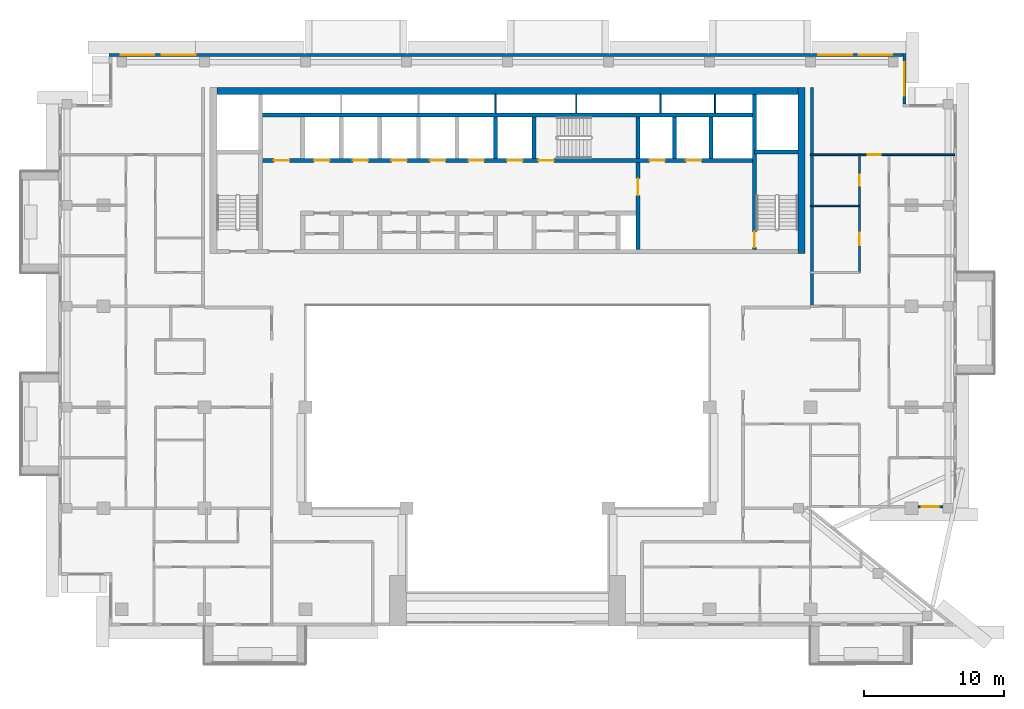
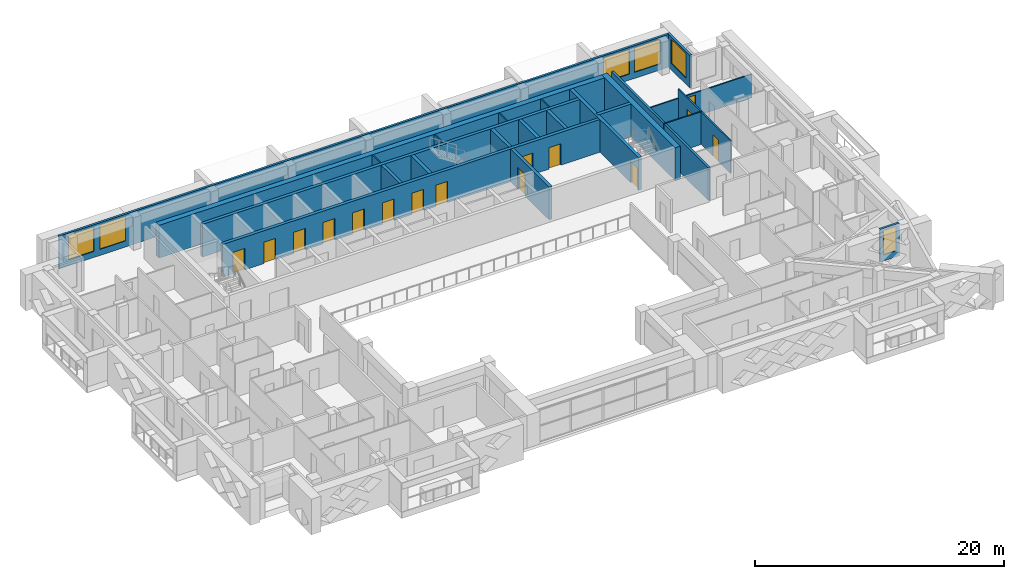
# One storey, part 11 of 19: 23 walls, 15 doors, 6 windows, 21 openings.
"""IFC4 building model written with IfcOpenShell, lengths in metres."""

from ifc_helpers import new_model, si_unit, direction, frame, frame_2d, origin, place, context, subcontext, project, spatial, rectangle, extrude, material, layer, layer_set, type_object, element, fill, save


model = new_model("IFC4")

# Units and contexts
model_context = context("Model", 3, precision=1e-05, world=origin(), true_north=direction((0.0, 1.0)))
body_context = subcontext(model_context, "Body", "Model", "MODEL_VIEW")
ifc_project = project(units=[si_unit("LENGTHUNIT", "METRE"), si_unit("AREAUNIT", "SQUARE_METRE"), si_unit("VOLUMEUNIT", "CUBIC_METRE"), si_unit("PLANEANGLEUNIT", "RADIAN"), si_unit("MASSUNIT", "GRAM", prefix="KILO")], contexts=[model_context])

# Site, building, storey
site_placement = place(None, origin())
site = spatial("IfcSite", under=ifc_project, at=site_placement, CompositionType="ELEMENT")
building_placement = place(site_placement, origin())
building = spatial("IfcBuilding", under=site, at=building_placement, Name="Saffron Iwan Residences", CompositionType="ELEMENT")
storey_placement = place(building_placement, frame((0.0, 0.0, 222.0)))
storey = spatial("IfcBuildingStorey", under=building, at=storey_placement, Name="L59", CompositionType="ELEMENT", Elevation=222.0)

# Wall, opening, window
ifc_material_1 = material(Name="Concrete C40/50", Category="concrete")
ifc_layer_1 = layer(ifc_material_1, 0.199951171875)
ifc_layer_set_1 = layer_set([ifc_layer_1], Name="Concrete C40/50")
wall_type_1 = type_object("IfcWallType", Name="EXTERNAL WALL 200", PredefinedType="SOLIDWALL", material=ifc_layer_set_1)
wall_1_placement = place(storey_placement, frame((79.64990234375, 48.10009765625, 0.0), z_axis=(0.0, 0.0, 1.0), x_axis=(1.0, 0.0, 0.0)))
wall_1 = element("IfcWall", 1, at=wall_1_placement, inside=storey, type_object=wall_type_1, Name="External wall L59 F1.1", PredefinedType="SOLIDWALL", context=body_context, shape_type="SweptSolid", body=[
    extrude(rectangle(XDim=1.800048828125, YDim=0.199951171875, at=frame_2d((0.89990234375, 0.0))), origin(), (0.0, 0.0, 1.0), 3.219970703125),
])
opening_1_placement = place(wall_1_placement, frame((0.300048828125, 0.0, 0.60009765625)))
opening_1 = element("IfcOpeningElement", 2, at=opening_1_placement, cuts=wall_1, Name="Opening W3", PredefinedType="OPENING", context=body_context, shape_type="SweptSolid", body=[
    extrude(rectangle(XDim=1.199951171875, YDim=2.39990234375, at=frame_2d((0.60009765625, 1.199951171875))), frame((0.0, 0.10986328125, 0.0), z_axis=(0.0, -1.0, 0.0), x_axis=(1.0, 0.0, 0.0)), (0.0, 0.0, 1.0), 0.219970703125),
])
ifc_material_2 = material(Name="Clear glass, laminated double glazed", Category="glass")
window_type_1 = type_object("IfcWindowType", Name="WINDOW 1200 x 2400", PartitioningType="SINGLE_PANEL", PredefinedType="WINDOW", material=ifc_material_2)
window_1_placement = place(opening_1_placement, origin())
window_1 = element("IfcWindow", 3, at=window_1_placement, inside=storey, type_object=window_type_1, Name="Window L59 F1.0", OverallHeight=2.39990234375, OverallWidth=1.199951171875, PartitioningType="SINGLE_PANEL", PredefinedType="WINDOW", context=body_context, shape_type="SweptSolid", body=[
    extrude(rectangle(XDim=1.199951171875, YDim=2.39990234375, at=frame_2d((0.60009765625, 1.199951171875))), frame((0.0, 0.030029296875, 0.0), z_axis=(0.0, -1.0, 0.0), x_axis=(1.0, 0.0, 0.0)), (0.0, 0.0, 1.0), 0.06005859375),
])
fill(opening_1, window_1)

wall_2_placement = place(storey_placement, frame((78.699951171875, 76.800048828125, 0.0), z_axis=(0.0, 0.0, 1.0), x_axis=(0.0, 1.0, 0.0)))
wall_2 = element("IfcWall", 4, at=wall_2_placement, inside=storey, type_object=wall_type_1, Name="External wall L59 F4.0", PredefinedType="SOLIDWALL", context=body_context, shape_type="SweptSolid", body=[
    extrude(rectangle(XDim=3.599853515625, YDim=0.199951171875, at=frame_2d((1.7998046875, 0.0))), origin(), (0.0, 0.0, 1.0), 3.219970703125),
])
opening_2_placement = place(wall_2_placement, frame((0.60009765625, 0.0, 0.60009765625)))
opening_2 = element("IfcOpeningElement", 5, at=opening_2_placement, cuts=wall_2, Name="Opening W1", PredefinedType="OPENING", context=body_context, shape_type="SweptSolid", body=[
    extrude(rectangle(XDim=2.39990234375, YDim=2.39990234375, at=frame_2d((1.199951171875, 1.199951171875))), frame((0.0, 0.10986328125, 0.0), z_axis=(0.0, -1.0, 0.0), x_axis=(1.0, 0.0, 0.0)), (0.0, 0.0, 1.0), 0.219970703125),
])
window_type_2 = type_object("IfcWindowType", Name="WINDOW 2400 x 2400", PartitioningType="DOUBLE_PANEL_VERTICAL", PredefinedType="WINDOW", material=ifc_material_2)
window_2_placement = place(opening_2_placement, origin())
window_2 = element("IfcWindow", 6, at=window_2_placement, inside=storey, type_object=window_type_2, Name="Window L59 F4.0", OverallHeight=2.39990234375, OverallWidth=2.39990234375, PartitioningType="DOUBLE_PANEL_VERTICAL", PredefinedType="WINDOW", context=body_context, shape_type="SweptSolid", body=[
    extrude(rectangle(XDim=2.39990234375, YDim=2.39990234375, at=frame_2d((1.199951171875, 1.199951171875))), frame((0.0, 0.030029296875, 0.0), z_axis=(0.0, -1.0, 0.0), x_axis=(1.0, 0.0, 0.0)), (0.0, 0.0, 1.0), 0.06005859375),
])
fill(opening_2, window_2)

# Wall, openings, windows
wall_3_placement = place(storey_placement, frame((78.60009765625, 80.300048828125, 0.0), z_axis=(0.0, 0.0, 1.0), x_axis=(-1.0, 0.0, 0.0)))
wall_3 = element("IfcWall", 7, at=wall_3_placement, inside=storey, type_object=wall_type_1, Name="External wall L59 F5.0", PredefinedType="SOLIDWALL", context=body_context, shape_type="SweptSolid", body=[
    extrude(rectangle(XDim=56.60009765625, YDim=0.199951171875, at=frame_2d((28.300048828125, 0.0))), origin(), (0.0, 0.0, 1.0), 3.219970703125),
])
opening_3_placement = place(wall_3_placement, frame((50.433349609375, 0.0, 0.60009765625)))
opening_3 = element("IfcOpeningElement", 8, at=opening_3_placement, cuts=wall_3, Name="Opening W1", PredefinedType="OPENING", context=body_context, shape_type="SweptSolid", body=[
    extrude(rectangle(XDim=2.39990234375, YDim=2.39990234375, at=frame_2d((1.199951171875, 1.199951171875))), frame((0.0, 0.10986328125, 0.0), z_axis=(0.0, -1.0, 0.0), x_axis=(1.0, 0.0, 0.0)), (0.0, 0.0, 1.0), 0.219970703125),
])
opening_4_placement = place(wall_3_placement, frame((53.36669921875, 0.0, 0.60009765625)))
opening_4 = element("IfcOpeningElement", 9, at=opening_4_placement, cuts=wall_3, Name="Opening W1", PredefinedType="OPENING", context=body_context, shape_type="SweptSolid", body=[
    extrude(rectangle(XDim=2.39990234375, YDim=2.39990234375, at=frame_2d((1.199951171875, 1.199951171875))), frame((0.0, 0.10986328125, 0.0), z_axis=(0.0, -1.0, 0.0), x_axis=(1.0, 0.0, 0.0)), (0.0, 0.0, 1.0), 0.219970703125),
])
opening_5_placement = place(wall_3_placement, frame((0.7666015625, 0.0, 0.60009765625)))
opening_5 = element("IfcOpeningElement", 10, at=opening_5_placement, cuts=wall_3, Name="Opening W1", PredefinedType="OPENING", context=body_context, shape_type="SweptSolid", body=[
    extrude(rectangle(XDim=2.39990234375, YDim=2.39990234375, at=frame_2d((1.199951171875, 1.199951171875))), frame((0.0, 0.10986328125, 0.0), z_axis=(0.0, -1.0, 0.0), x_axis=(1.0, 0.0, 0.0)), (0.0, 0.0, 1.0), 0.219970703125),
])
opening_6_placement = place(wall_3_placement, frame((3.63330078125, 0.0, 0.60009765625)))
opening_6 = element("IfcOpeningElement", 11, at=opening_6_placement, cuts=wall_3, Name="Opening W1", PredefinedType="OPENING", context=body_context, shape_type="SweptSolid", body=[
    extrude(rectangle(XDim=2.39990234375, YDim=2.39990234375, at=frame_2d((1.199951171875, 1.199951171875))), frame((0.0, 0.10986328125, 0.0), z_axis=(0.0, -1.0, 0.0), x_axis=(1.0, 0.0, 0.0)), (0.0, 0.0, 1.0), 0.219970703125),
])
window_3_placement = place(opening_3_placement, origin())
window_3 = element("IfcWindow", 12, at=window_3_placement, inside=storey, type_object=window_type_2, Name="Window L59 F5.0", OverallHeight=2.39990234375, OverallWidth=2.39990234375, PartitioningType="DOUBLE_PANEL_VERTICAL", PredefinedType="WINDOW", context=body_context, shape_type="SweptSolid", body=[
    extrude(rectangle(XDim=2.39990234375, YDim=2.39990234375, at=frame_2d((1.199951171875, 1.199951171875))), frame((0.0, 0.030029296875, 0.0), z_axis=(0.0, -1.0, 0.0), x_axis=(1.0, 0.0, 0.0)), (0.0, 0.0, 1.0), 0.06005859375),
])
fill(opening_3, window_3)
window_4_placement = place(opening_4_placement, origin())
window_4 = element("IfcWindow", 13, at=window_4_placement, inside=storey, type_object=window_type_2, Name="Window L59 F5.1", OverallHeight=2.39990234375, OverallWidth=2.39990234375, PartitioningType="DOUBLE_PANEL_VERTICAL", PredefinedType="WINDOW", context=body_context, shape_type="SweptSolid", body=[
    extrude(rectangle(XDim=2.39990234375, YDim=2.39990234375, at=frame_2d((1.199951171875, 1.199951171875))), frame((0.0, 0.030029296875, 0.0), z_axis=(0.0, -1.0, 0.0), x_axis=(1.0, 0.0, 0.0)), (0.0, 0.0, 1.0), 0.06005859375),
])
fill(opening_4, window_4)
window_5_placement = place(opening_5_placement, origin())
window_5 = element("IfcWindow", 14, at=window_5_placement, inside=storey, type_object=window_type_2, Name="Window L59 F5.2", OverallHeight=2.39990234375, OverallWidth=2.39990234375, PartitioningType="DOUBLE_PANEL_VERTICAL", PredefinedType="WINDOW", context=body_context, shape_type="SweptSolid", body=[
    extrude(rectangle(XDim=2.39990234375, YDim=2.39990234375, at=frame_2d((1.199951171875, 1.199951171875))), frame((0.0, 0.030029296875, 0.0), z_axis=(0.0, -1.0, 0.0), x_axis=(1.0, 0.0, 0.0)), (0.0, 0.0, 1.0), 0.06005859375),
])
fill(opening_5, window_5)
window_6_placement = place(opening_6_placement, origin())
window_6 = element("IfcWindow", 15, at=window_6_placement, inside=storey, type_object=window_type_2, Name="Window L59 F5.3", OverallHeight=2.39990234375, OverallWidth=2.39990234375, PartitioningType="DOUBLE_PANEL_VERTICAL", PredefinedType="WINDOW", context=body_context, shape_type="SweptSolid", body=[
    extrude(rectangle(XDim=2.39990234375, YDim=2.39990234375, at=frame_2d((1.199951171875, 1.199951171875))), frame((0.0, 0.030029296875, 0.0), z_axis=(0.0, -1.0, 0.0), x_axis=(1.0, 0.0, 0.0)), (0.0, 0.0, 1.0), 0.06005859375),
])
fill(opening_6, window_6)

# Wall
ifc_material_3 = material(Name="Gypsum board partition")
ifc_layer_2 = layer(ifc_material_3, 0.1201171875)
ifc_layer_set_2 = layer_set([ifc_layer_2], Name="Gypsum board partition")
wall_type_2 = type_object("IfcWallType", Name="Flat partition 120", PredefinedType="PARTITIONING", material=ifc_layer_set_2)
wall_4_placement = place(storey_placement, frame((72.0, 69.550048828125, 0.0), z_axis=(0.0, 0.0, 1.0), x_axis=(1.0, 0.0, 0.0)))
element("IfcWall", 16, at=wall_4_placement, inside=storey, type_object=wall_type_2, Name="W-L59-PART-h69.55-72", PredefinedType="PARTITIONING", context=body_context, shape_type="SweptSolid", body=[
    extrude(rectangle(XDim=3.5, YDim=0.1201171875, at=frame_2d((1.75, 0.0))), origin(), (0.0, 0.0, 1.0), 3.219970703125),
])

# Wall, opening, door
wall_5_placement = place(storey_placement, frame((72.0, 73.199951171875, 0.0), z_axis=(0.0, 0.0, 1.0), x_axis=(1.0, 0.0, 0.0)))
wall_5 = element("IfcWall", 17, at=wall_5_placement, inside=storey, type_object=wall_type_2, Name="W-L59-PART-h73.2-72", PredefinedType="PARTITIONING", context=body_context, shape_type="SweptSolid", body=[
    extrude(rectangle(XDim=10.27490234375, YDim=0.1201171875, at=frame_2d((5.137451171875, 0.0))), origin(), (0.0, 0.0, 1.0), 2.320068359375),
])
opening_7_placement = place(wall_5_placement, frame((4.10009765625, 0.0, 0.0)))
opening_7 = element("IfcOpeningElement", 18, at=opening_7_placement, cuts=wall_5, Name="Opening FD2", PredefinedType="OPENING", context=body_context, shape_type="SweptSolid", body=[
    extrude(rectangle(XDim=0.89990234375, YDim=2.10009765625, at=frame_2d((0.449951171875, 1.050048828125))), frame((0.0, 0.070068359375, 0.0), z_axis=(0.0, -1.0, 0.0), x_axis=(1.0, 0.0, 0.0)), (0.0, 0.0, 1.0), 0.14013671875),
])
ifc_material_4 = material(Name="Timber door", Category="wood")
door_type_1 = type_object("IfcDoorType", Name="Flat door 900", OperationType="NOTDEFINED", PredefinedType="DOOR", material=ifc_material_4)
door_1_placement = place(opening_7_placement, origin())
door_1 = element("IfcDoor", 19, at=door_1_placement, inside=storey, type_object=door_type_1, Name="Door L59-037", OperationType="SINGLE_SWING_LEFT", OverallHeight=2.10009765625, OverallWidth=0.89990234375, PredefinedType="DOOR", context=body_context, shape_type="SweptSolid", body=[
    extrude(rectangle(XDim=0.89990234375, YDim=2.10009765625, at=frame_2d((0.449951171875, 1.050048828125))), frame((0.0, 0.02490234375, 0.0), z_axis=(0.0, -1.0, 0.0), x_axis=(1.0, 0.0, 0.0)), (0.0, 0.0, 1.0), 0.050048828125),
])
fill(opening_7, door_1)

# Wall, openings, doors
wall_6_placement = place(storey_placement, frame((75.5, 64.800048828125, 0.0), z_axis=(0.0, 0.0, 1.0), x_axis=(0.0, 1.0, 0.0)))
wall_6 = element("IfcWall", 20, at=wall_6_placement, inside=storey, type_object=wall_type_2, Name="W-L59-PART-v75.5-64.8", PredefinedType="PARTITIONING", context=body_context, shape_type="SweptSolid", body=[
    extrude(rectangle(XDim=8.39990234375, YDim=0.1201171875, at=frame_2d((4.199951171875, 0.0))), origin(), (0.0, 0.0, 1.0), 3.219970703125),
])
opening_8_placement = place(wall_6_placement, frame((1.925048828125, 0.0, 0.0)))
opening_8 = element("IfcOpeningElement", 21, at=opening_8_placement, cuts=wall_6, Name="Opening FD2", PredefinedType="OPENING", context=body_context, shape_type="SweptSolid", body=[
    extrude(rectangle(XDim=0.89990234375, YDim=2.10009765625, at=frame_2d((0.449951171875, 1.050048828125))), frame((0.0, 0.070068359375, 0.0), z_axis=(0.0, -1.0, 0.0), x_axis=(1.0, 0.0, 0.0)), (0.0, 0.0, 1.0), 0.14013671875),
])
opening_9_placement = place(wall_6_placement, frame((6.175048828125, 0.0, 0.0)))
opening_9 = element("IfcOpeningElement", 22, at=opening_9_placement, cuts=wall_6, Name="Opening FD3", PredefinedType="OPENING", context=body_context, shape_type="SweptSolid", body=[
    extrude(rectangle(XDim=0.800048828125, YDim=2.10009765625, at=frame_2d((0.39990234375, 1.050048828125))), frame((0.0, 0.070068359375, 0.0), z_axis=(0.0, -1.0, 0.0), x_axis=(1.0, 0.0, 0.0)), (0.0, 0.0, 1.0), 0.14013671875),
])
door_type_2 = type_object("IfcDoorType", Name="Bathroom door 800", OperationType="NOTDEFINED", PredefinedType="DOOR", material=ifc_material_4)
door_2_placement = place(opening_9_placement, origin())
door_2 = element("IfcDoor", 23, at=door_2_placement, inside=storey, type_object=door_type_2, Name="Door L59-039", OperationType="SINGLE_SWING_LEFT", OverallHeight=2.10009765625, OverallWidth=0.800048828125, PredefinedType="DOOR", context=body_context, shape_type="SweptSolid", body=[
    extrude(rectangle(XDim=0.800048828125, YDim=2.10009765625, at=frame_2d((0.39990234375, 1.050048828125))), frame((0.0, 0.02490234375, 0.0), z_axis=(0.0, -1.0, 0.0), x_axis=(1.0, 0.0, 0.0)), (0.0, 0.0, 1.0), 0.050048828125),
])
fill(opening_9, door_2)
door_3_placement = place(opening_8_placement, origin())
door_3 = element("IfcDoor", 24, at=door_3_placement, inside=storey, type_object=door_type_1, Name="Door L59-038", OperationType="SINGLE_SWING_RIGHT", OverallHeight=2.10009765625, OverallWidth=0.89990234375, PredefinedType="DOOR", context=body_context, shape_type="SweptSolid", body=[
    extrude(rectangle(XDim=0.89990234375, YDim=2.10009765625, at=frame_2d((0.449951171875, 1.050048828125))), frame((0.0, 0.02490234375, 0.0), z_axis=(0.0, -1.0, 0.0), x_axis=(1.0, 0.0, 0.0)), (0.0, 0.0, 1.0), 0.050048828125),
])
fill(opening_8, door_3)

# Walls
ifc_material_5 = material(Name="Fire-rated gypsum board wall")
ifc_layer_3 = layer(ifc_material_5, 0.199951171875)
ifc_layer_set_3 = layer_set([ifc_layer_3], Name="Fire-rated gypsum board wall")
wall_type_3 = type_object("IfcWallType", Name="Gallery wall 200", PredefinedType="SOLIDWALL", material=ifc_layer_set_3)
wall_7_placement = place(storey_placement, frame((72.10009765625, 62.39990234375, 0.0), z_axis=(0.0, 0.0, 1.0), x_axis=(0.0, 1.0, 0.0)))
element("IfcWall", 25, at=wall_7_placement, inside=storey, type_object=wall_type_3, Name="W-L59-CORR-v72-62.4", PredefinedType="SOLIDWALL", context=body_context, shape_type="SweptSolid", body=[
    extrude(rectangle(XDim=15.60009765625, YDim=0.199951171875, at=frame_2d((7.800048828125, 0.0))), origin(), (0.0, 0.0, 1.0), 3.219970703125),
])
ifc_material_6 = material(Name="Fire-rated plasterboard partition")
ifc_layer_4 = layer(ifc_material_6, 0.10009765625)
ifc_layer_set_4 = layer_set([ifc_layer_4], Name="Fire-rated plasterboard partition")
wall_type_4 = type_object("IfcWallType", Name="Riser partition 100", PredefinedType="PARTITIONING", material=ifc_layer_set_4)
for number, where, z_axis, x_axis, name in (
    (26, (49.550048828125, 76.175048828125, 0.0), (0.0, 0.0, 1.0), (0.0, 1.0, 0.0), "Core partition P09"),
    (27, (55.300048828125, 76.175048828125, 0.0), (0.0, 0.0, 1.0), (0.0, 1.0, 0.0), "Core partition P10"),
    (28, (61.300048828125, 76.175048828125, 0.0), (0.0, 0.0, 1.0), (0.0, 1.0, 0.0), "Core partition P11"),
    (29, (65.199951171875, 76.175048828125, 0.0), (0.0, 0.0, 1.0), (0.0, 1.0, 0.0), "Core partition P12"),
):
    element("IfcWall", number, at=place(storey_placement, frame(where, z_axis=z_axis, x_axis=x_axis)), inside=storey, type_object=wall_type_4, Name=name, PredefinedType="PARTITIONING", context=body_context, shape_type="SweptSolid", body=[
        extrude(rectangle(XDim=1.324951171875, YDim=0.10009765625, at=frame_2d((0.66259765625, 0.0))), origin(), (0.0, 0.0, 1.0), 3.219970703125),
    ])

# Wall, openings, doors
ifc_layer_5 = layer(ifc_material_1, 0.300048828125)
ifc_layer_set_5 = layer_set([ifc_layer_5], Name="Concrete C40/50")
wall_type_5 = type_object("IfcWallType", Name="WALL CORE 300 C40/50 3220 HIGH", PredefinedType="SHEAR", material=ifc_layer_set_5)
wall_8_placement = place(storey_placement, frame((32.800048828125, 72.77490234375, 0.0), z_axis=(0.0, 0.0, 1.0), x_axis=(1.0, 0.0, 0.0)))
wall_8 = element("IfcWall", 30, at=wall_8_placement, inside=storey, type_object=wall_type_5, Name="Core wall", PredefinedType="SHEAR", context=body_context, shape_type="SweptSolid", body=[
    extrude(rectangle(XDim=35.199951171875, YDim=0.300048828125, at=frame_2d((17.60009765625, 0.0))), origin(), (0.0, 0.0, 1.0), 3.219970703125),
])
opening_10_placement = place(wall_8_placement, frame((19.800048828125, 0.0, 0.0)))
opening_10 = element("IfcOpeningElement", 31, at=opening_10_placement, cuts=wall_8, Name="Opening SD", PredefinedType="OPENING", context=body_context, shape_type="SweptSolid", body=[
    extrude(rectangle(XDim=1.10009765625, YDim=2.10009765625, at=frame_2d((0.550048828125, 1.050048828125))), frame((0.0, 0.16015625, 0.0), z_axis=(0.0, -1.0, 0.0), x_axis=(1.0, 0.0, 0.0)), (0.0, 0.0, 1.0), 0.320068359375),
])
opening_11_placement = place(wall_8_placement, frame((27.72509765625, 0.0, 0.0)))
opening_11 = element("IfcOpeningElement", 32, at=opening_11_placement, cuts=wall_8, Name="Opening LD", PredefinedType="OPENING", context=body_context, shape_type="SweptSolid", body=[
    extrude(rectangle(XDim=1.10009765625, YDim=2.10009765625, at=frame_2d((0.550048828125, 1.050048828125))), frame((0.0, 0.16015625, 0.0), z_axis=(0.0, -1.0, 0.0), x_axis=(1.0, 0.0, 0.0)), (0.0, 0.0, 1.0), 0.320068359375),
])
opening_12_placement = place(wall_8_placement, frame((30.324951171875, 0.0, 0.0)))
opening_12 = element("IfcOpeningElement", 33, at=opening_12_placement, cuts=wall_8, Name="Opening LD", PredefinedType="OPENING", context=body_context, shape_type="SweptSolid", body=[
    extrude(rectangle(XDim=1.10009765625, YDim=2.10009765625, at=frame_2d((0.550048828125, 1.050048828125))), frame((0.0, 0.16015625, 0.0), z_axis=(0.0, -1.0, 0.0), x_axis=(1.0, 0.0, 0.0)), (0.0, 0.0, 1.0), 0.320068359375),
])
opening_13_placement = place(wall_8_placement, frame((3.824951171875, 0.0, 0.0)))
opening_13 = element("IfcOpeningElement", 34, at=opening_13_placement, cuts=wall_8, Name="Opening LD", PredefinedType="OPENING", context=body_context, shape_type="SweptSolid", body=[
    extrude(rectangle(XDim=1.10009765625, YDim=2.10009765625, at=frame_2d((0.550048828125, 1.050048828125))), frame((0.0, 0.16015625, 0.0), z_axis=(0.0, -1.0, 0.0), x_axis=(1.0, 0.0, 0.0)), (0.0, 0.0, 1.0), 0.320068359375),
])
opening_14_placement = place(wall_8_placement, frame((6.574951171875, 0.0, 0.0)))
opening_14 = element("IfcOpeningElement", 35, at=opening_14_placement, cuts=wall_8, Name="Opening LD", PredefinedType="OPENING", context=body_context, shape_type="SweptSolid", body=[
    extrude(rectangle(XDim=1.10009765625, YDim=2.10009765625, at=frame_2d((0.550048828125, 1.050048828125))), frame((0.0, 0.16015625, 0.0), z_axis=(0.0, -1.0, 0.0), x_axis=(1.0, 0.0, 0.0)), (0.0, 0.0, 1.0), 0.320068359375),
])
opening_15_placement = place(wall_8_placement, frame((9.324951171875, 0.0, 0.0)))
opening_15 = element("IfcOpeningElement", 36, at=opening_15_placement, cuts=wall_8, Name="Opening LD", PredefinedType="OPENING", context=body_context, shape_type="SweptSolid", body=[
    extrude(rectangle(XDim=1.10009765625, YDim=2.10009765625, at=frame_2d((0.550048828125, 1.050048828125))), frame((0.0, 0.16015625, 0.0), z_axis=(0.0, -1.0, 0.0), x_axis=(1.0, 0.0, 0.0)), (0.0, 0.0, 1.0), 0.320068359375),
])
opening_16_placement = place(wall_8_placement, frame((12.074951171875, 0.0, 0.0)))
opening_16 = element("IfcOpeningElement", 37, at=opening_16_placement, cuts=wall_8, Name="Opening LD", PredefinedType="OPENING", context=body_context, shape_type="SweptSolid", body=[
    extrude(rectangle(XDim=1.10009765625, YDim=2.10009765625, at=frame_2d((0.550048828125, 1.050048828125))), frame((0.0, 0.16015625, 0.0), z_axis=(0.0, -1.0, 0.0), x_axis=(1.0, 0.0, 0.0)), (0.0, 0.0, 1.0), 0.320068359375),
])
opening_17_placement = place(wall_8_placement, frame((14.824951171875, 0.0, 0.0)))
opening_17 = element("IfcOpeningElement", 38, at=opening_17_placement, cuts=wall_8, Name="Opening LD", PredefinedType="OPENING", context=body_context, shape_type="SweptSolid", body=[
    extrude(rectangle(XDim=1.10009765625, YDim=2.10009765625, at=frame_2d((0.550048828125, 1.050048828125))), frame((0.0, 0.16015625, 0.0), z_axis=(0.0, -1.0, 0.0), x_axis=(1.0, 0.0, 0.0)), (0.0, 0.0, 1.0), 0.320068359375),
])
opening_18_placement = place(wall_8_placement, frame((17.574951171875, 0.0, 0.0)))
opening_18 = element("IfcOpeningElement", 39, at=opening_18_placement, cuts=wall_8, Name="Opening LD", PredefinedType="OPENING", context=body_context, shape_type="SweptSolid", body=[
    extrude(rectangle(XDim=1.10009765625, YDim=2.10009765625, at=frame_2d((0.550048828125, 1.050048828125))), frame((0.0, 0.16015625, 0.0), z_axis=(0.0, -1.0, 0.0), x_axis=(1.0, 0.0, 0.0)), (0.0, 0.0, 1.0), 0.320068359375),
])
opening_19_placement = place(wall_8_placement, frame((0.949951171875, 0.0, 0.0)))
opening_19 = element("IfcOpeningElement", 40, at=opening_19_placement, cuts=wall_8, Name="Opening SR", PredefinedType="OPENING", context=body_context, shape_type="SweptSolid", body=[
    extrude(rectangle(XDim=1.10009765625, YDim=2.10009765625, at=frame_2d((0.550048828125, 1.050048828125))), frame((0.0, 0.16015625, 0.0), z_axis=(0.0, -1.0, 0.0), x_axis=(1.0, 0.0, 0.0)), (0.0, 0.0, 1.0), 0.320068359375),
])
ifc_material_7 = material(Name="Steel fire door", Category="steel")
door_type_3 = type_object("IfcDoorType", Name="Lift landing door 1100", OperationType="SLIDING_TO_LEFT", PredefinedType="DOOR", material=ifc_material_7)
door_4_placement = place(opening_11_placement, origin())
door_4 = element("IfcDoor", 41, at=door_4_placement, inside=storey, type_object=door_type_3, Name="Landing doors FF1", OperationType="SLIDING_TO_LEFT", OverallHeight=2.10009765625, OverallWidth=1.10009765625, PredefinedType="DOOR", context=body_context, shape_type="SweptSolid", body=[
    extrude(rectangle(XDim=1.10009765625, YDim=2.10009765625, at=frame_2d((0.550048828125, 1.050048828125))), frame((0.0, 0.02490234375, 0.0), z_axis=(0.0, -1.0, 0.0), x_axis=(1.0, 0.0, 0.0)), (0.0, 0.0, 1.0), 0.050048828125),
])
fill(opening_11, door_4)
door_5_placement = place(opening_12_placement, origin())
door_5 = element("IfcDoor", 42, at=door_5_placement, inside=storey, type_object=door_type_3, Name="Landing doors FF2", OperationType="SLIDING_TO_LEFT", OverallHeight=2.10009765625, OverallWidth=1.10009765625, PredefinedType="DOOR", context=body_context, shape_type="SweptSolid", body=[
    extrude(rectangle(XDim=1.10009765625, YDim=2.10009765625, at=frame_2d((0.550048828125, 1.050048828125))), frame((0.0, 0.02490234375, 0.0), z_axis=(0.0, -1.0, 0.0), x_axis=(1.0, 0.0, 0.0)), (0.0, 0.0, 1.0), 0.050048828125),
])
fill(opening_12, door_5)
door_6_placement = place(opening_13_placement, origin())
door_6 = element("IfcDoor", 43, at=door_6_placement, inside=storey, type_object=door_type_3, Name="Landing doors HR1", OperationType="SLIDING_TO_LEFT", OverallHeight=2.10009765625, OverallWidth=1.10009765625, PredefinedType="DOOR", context=body_context, shape_type="SweptSolid", body=[
    extrude(rectangle(XDim=1.10009765625, YDim=2.10009765625, at=frame_2d((0.550048828125, 1.050048828125))), frame((0.0, 0.02490234375, 0.0), z_axis=(0.0, -1.0, 0.0), x_axis=(1.0, 0.0, 0.0)), (0.0, 0.0, 1.0), 0.050048828125),
])
fill(opening_13, door_6)
door_7_placement = place(opening_14_placement, origin())
door_7 = element("IfcDoor", 44, at=door_7_placement, inside=storey, type_object=door_type_3, Name="Landing doors HR2", OperationType="SLIDING_TO_LEFT", OverallHeight=2.10009765625, OverallWidth=1.10009765625, PredefinedType="DOOR", context=body_context, shape_type="SweptSolid", body=[
    extrude(rectangle(XDim=1.10009765625, YDim=2.10009765625, at=frame_2d((0.550048828125, 1.050048828125))), frame((0.0, 0.02490234375, 0.0), z_axis=(0.0, -1.0, 0.0), x_axis=(1.0, 0.0, 0.0)), (0.0, 0.0, 1.0), 0.050048828125),
])
fill(opening_14, door_7)
door_8_placement = place(opening_15_placement, origin())
door_8 = element("IfcDoor", 45, at=door_8_placement, inside=storey, type_object=door_type_3, Name="Landing doors HR3", OperationType="SLIDING_TO_LEFT", OverallHeight=2.10009765625, OverallWidth=1.10009765625, PredefinedType="DOOR", context=body_context, shape_type="SweptSolid", body=[
    extrude(rectangle(XDim=1.10009765625, YDim=2.10009765625, at=frame_2d((0.550048828125, 1.050048828125))), frame((0.0, 0.02490234375, 0.0), z_axis=(0.0, -1.0, 0.0), x_axis=(1.0, 0.0, 0.0)), (0.0, 0.0, 1.0), 0.050048828125),
])
fill(opening_15, door_8)
door_9_placement = place(opening_16_placement, origin())
door_9 = element("IfcDoor", 46, at=door_9_placement, inside=storey, type_object=door_type_3, Name="Landing doors HR4", OperationType="SLIDING_TO_LEFT", OverallHeight=2.10009765625, OverallWidth=1.10009765625, PredefinedType="DOOR", context=body_context, shape_type="SweptSolid", body=[
    extrude(rectangle(XDim=1.10009765625, YDim=2.10009765625, at=frame_2d((0.550048828125, 1.050048828125))), frame((0.0, 0.02490234375, 0.0), z_axis=(0.0, -1.0, 0.0), x_axis=(1.0, 0.0, 0.0)), (0.0, 0.0, 1.0), 0.050048828125),
])
fill(opening_16, door_9)
door_10_placement = place(opening_17_placement, origin())
door_10 = element("IfcDoor", 47, at=door_10_placement, inside=storey, type_object=door_type_3, Name="Landing doors HR5", OperationType="SLIDING_TO_LEFT", OverallHeight=2.10009765625, OverallWidth=1.10009765625, PredefinedType="DOOR", context=body_context, shape_type="SweptSolid", body=[
    extrude(rectangle(XDim=1.10009765625, YDim=2.10009765625, at=frame_2d((0.550048828125, 1.050048828125))), frame((0.0, 0.02490234375, 0.0), z_axis=(0.0, -1.0, 0.0), x_axis=(1.0, 0.0, 0.0)), (0.0, 0.0, 1.0), 0.050048828125),
])
fill(opening_17, door_10)
door_11_placement = place(opening_18_placement, origin())
door_11 = element("IfcDoor", 48, at=door_11_placement, inside=storey, type_object=door_type_3, Name="Landing doors HR6", OperationType="SLIDING_TO_LEFT", OverallHeight=2.10009765625, OverallWidth=1.10009765625, PredefinedType="DOOR", context=body_context, shape_type="SweptSolid", body=[
    extrude(rectangle(XDim=1.10009765625, YDim=2.10009765625, at=frame_2d((0.550048828125, 1.050048828125))), frame((0.0, 0.02490234375, 0.0), z_axis=(0.0, -1.0, 0.0), x_axis=(1.0, 0.0, 0.0)), (0.0, 0.0, 1.0), 0.050048828125),
])
fill(opening_18, door_11)
door_type_4 = type_object("IfcDoorType", Name="Service door 1100", OperationType="NOTDEFINED", PredefinedType="DOOR", material=ifc_material_7)
door_12_placement = place(opening_19_placement, origin())
door_12 = element("IfcDoor", 49, at=door_12_placement, inside=storey, type_object=door_type_4, Name="Door Caretaker's room", OperationType="SINGLE_SWING_LEFT", OverallHeight=2.10009765625, OverallWidth=1.10009765625, PredefinedType="DOOR", context=body_context, shape_type="SweptSolid", body=[
    extrude(rectangle(XDim=1.10009765625, YDim=2.10009765625, at=frame_2d((0.550048828125, 1.050048828125))), frame((0.0, 0.02490234375, 0.0), z_axis=(0.0, -1.0, 0.0), x_axis=(1.0, 0.0, 0.0)), (0.0, 0.0, 1.0), 0.050048828125),
])
fill(opening_19, door_12)
door_type_5 = type_object("IfcDoorType", Name="Stair door 1100", OperationType="NOTDEFINED", PredefinedType="DOOR", material=ifc_material_7)
door_13_placement = place(opening_10_placement, origin())
door_13 = element("IfcDoor", 50, at=door_13_placement, inside=storey, type_object=door_type_5, Name="Stair door ST-C", OperationType="SINGLE_SWING_LEFT", OverallHeight=2.10009765625, OverallWidth=1.10009765625, PredefinedType="DOOR", context=body_context, shape_type="SweptSolid", body=[
    extrude(rectangle(XDim=1.10009765625, YDim=2.10009765625, at=frame_2d((0.550048828125, 1.050048828125))), frame((0.0, 0.02490234375, 0.0), z_axis=(0.0, -1.0, 0.0), x_axis=(1.0, 0.0, 0.0)), (0.0, 0.0, 1.0), 0.050048828125),
])
fill(opening_10, door_13)

# Walls
wall_9_placement = place(storey_placement, frame((32.800048828125, 76.02490234375, 0.0), z_axis=(0.0, 0.0, 1.0), x_axis=(1.0, 0.0, 0.0)))
element("IfcWall", 51, at=wall_9_placement, inside=storey, type_object=wall_type_5, Name="Core wall", PredefinedType="SHEAR", context=body_context, shape_type="SweptSolid", body=[
    extrude(rectangle(XDim=35.199951171875, YDim=0.300048828125, at=frame_2d((17.60009765625, 0.0))), origin(), (0.0, 0.0, 1.0), 3.219970703125),
])
wall_10_placement = place(storey_placement, frame((68.0, 73.39990234375, 0.0), z_axis=(0.0, 0.0, 1.0), x_axis=(1.0, 0.0, 0.0)))
element("IfcWall", 52, at=wall_10_placement, inside=storey, type_object=wall_type_5, Name="Core wall", PredefinedType="SHEAR", context=body_context, shape_type="SweptSolid", body=[
    extrude(rectangle(XDim=3.10009765625, YDim=0.300048828125, at=frame_2d((1.550048828125, 0.0))), origin(), (0.0, 0.0, 1.0), 3.219970703125),
])

# Wall, opening, door
wall_11_placement = place(storey_placement, frame((68.0, 66.449951171875, 0.0), z_axis=(0.0, 0.0, 1.0), x_axis=(0.0, 1.0, 0.0)))
wall_11 = element("IfcWall", 53, at=wall_11_placement, inside=storey, type_object=wall_type_5, Name="Core wall", PredefinedType="SHEAR", context=body_context, shape_type="SweptSolid", body=[
    extrude(rectangle(XDim=11.050048828125, YDim=0.300048828125, at=frame_2d((5.52490234375, 0.0))), origin(), (0.0, 0.0, 1.0), 3.219970703125),
])
opening_20_placement = place(wall_11_placement, frame((0.14990234375, 0.0, 0.0)))
opening_20 = element("IfcOpeningElement", 54, at=opening_20_placement, cuts=wall_11, Name="Opening SD", PredefinedType="OPENING", context=body_context, shape_type="SweptSolid", body=[
    extrude(rectangle(XDim=1.10009765625, YDim=2.10009765625, at=frame_2d((0.550048828125, 1.050048828125))), frame((0.0, 0.16015625, 0.0), z_axis=(0.0, -1.0, 0.0), x_axis=(1.0, 0.0, 0.0)), (0.0, 0.0, 1.0), 0.320068359375),
])
door_14_placement = place(opening_20_placement, origin())
door_14 = element("IfcDoor", 55, at=door_14_placement, inside=storey, type_object=door_type_5, Name="Stair door ST-E", OperationType="SINGLE_SWING_RIGHT", OverallHeight=2.10009765625, OverallWidth=1.10009765625, PredefinedType="DOOR", context=body_context, shape_type="SweptSolid", body=[
    extrude(rectangle(XDim=1.10009765625, YDim=2.10009765625, at=frame_2d((0.550048828125, 1.050048828125))), frame((0.0, 0.02490234375, 0.0), z_axis=(0.0, -1.0, 0.0), x_axis=(1.0, 0.0, 0.0)), (0.0, 0.0, 1.0), 0.050048828125),
])
fill(opening_20, door_14)

wall_12_placement = place(storey_placement, frame((59.699951171875, 66.449951171875, 0.0), z_axis=(0.0, 0.0, 1.0), x_axis=(0.0, 1.0, 0.0)))
wall_12 = element("IfcWall", 56, at=wall_12_placement, inside=storey, type_object=wall_type_5, Name="Core wall", PredefinedType="SHEAR", context=body_context, shape_type="SweptSolid", body=[
    extrude(rectangle(XDim=6.175048828125, YDim=0.300048828125, at=frame_2d((3.08740234375, 0.0))), origin(), (0.0, 0.0, 1.0), 3.219970703125),
])
opening_21_placement = place(wall_12_placement, frame((3.85009765625, 0.0, 0.0)))
opening_21 = element("IfcOpeningElement", 57, at=opening_21_placement, cuts=wall_12, Name="Opening FD", PredefinedType="OPENING", context=body_context, shape_type="SweptSolid", body=[
    extrude(rectangle(XDim=1.199951171875, YDim=2.10009765625, at=frame_2d((0.60009765625, 1.050048828125))), frame((0.0, 0.16015625, 0.0), z_axis=(0.0, -1.0, 0.0), x_axis=(1.0, 0.0, 0.0)), (0.0, 0.0, 1.0), 0.320068359375),
])
door_type_6 = type_object("IfcDoorType", Name="Firefighting lobby door 1200", OperationType="NOTDEFINED", PredefinedType="DOOR", material=ifc_material_7)
door_15_placement = place(opening_21_placement, origin())
door_15 = element("IfcDoor", 58, at=door_15_placement, inside=storey, type_object=door_type_6, Name="Firefighting lobby door", OperationType="SINGLE_SWING_LEFT", OverallHeight=2.10009765625, OverallWidth=1.199951171875, PredefinedType="DOOR", context=body_context, shape_type="SweptSolid", body=[
    extrude(rectangle(XDim=1.199951171875, YDim=2.10009765625, at=frame_2d((0.60009765625, 1.050048828125))), frame((0.0, 0.02490234375, 0.0), z_axis=(0.0, -1.0, 0.0), x_axis=(1.0, 0.0, 0.0)), (0.0, 0.0, 1.0), 0.050048828125),
])
fill(opening_21, door_15)

# Walls
for number, where, z_axis, x_axis, name in (
    (59, (59.699951171875, 72.925048828125, 0.0), (0.0, 0.0, 1.0), (0.0, 1.0, 0.0), "Core wall"),
    (60, (49.550048828125, 72.925048828125, 0.0), (0.0, 0.0, 1.0), (0.0, 1.0, 0.0), "Core wall"),
    (61, (52.300048828125, 72.925048828125, 0.0), (0.0, 0.0, 1.0), (0.0, 1.0, 0.0), "Core wall"),
    (62, (62.300048828125, 72.925048828125, 0.0), (0.0, 0.0, 1.0), (0.0, 1.0, 0.0), "Core wall"),
    (63, (64.89990234375, 72.925048828125, 0.0), (0.0, 0.0, 1.0), (0.0, 1.0, 0.0), "Core wall"),
):
    element("IfcWall", number, at=place(storey_placement, frame(where, z_axis=z_axis, x_axis=x_axis)), inside=storey, type_object=wall_type_5, Name=name, PredefinedType="SHEAR", context=body_context, shape_type="SweptSolid", body=[
        extrude(rectangle(XDim=2.949951171875, YDim=0.300048828125, at=frame_2d((1.47509765625, 0.0))), origin(), (0.0, 0.0, 1.0), 3.219970703125),
    ])
ifc_layer_6 = layer(ifc_material_1, 0.5)
ifc_layer_set_6 = layer_set([ifc_layer_6], Name="Concrete C40/50")
wall_type_6 = type_object("IfcWallType", Name="WALL CORE 500 C40/50 3220 HIGH", PredefinedType="SHEAR", material=ifc_layer_set_6)
wall_13_placement = place(storey_placement, frame((71.35009765625, 66.14990234375, 0.0), z_axis=(0.0, 0.0, 1.0), x_axis=(0.0, 1.0, 0.0)))
element("IfcWall", 64, at=wall_13_placement, inside=storey, type_object=wall_type_6, Name="Core wall", PredefinedType="SHEAR", context=body_context, shape_type="SweptSolid", body=[
    extrude(rectangle(XDim=11.85009765625, YDim=0.5, at=frame_2d((5.925048828125, 0.0))), origin(), (0.0, 0.0, 1.0), 3.219970703125),
])
wall_14_placement = place(storey_placement, frame((29.699951171875, 77.75, 0.0), z_axis=(0.0, 0.0, 1.0), x_axis=(1.0, 0.0, 0.0)))
element("IfcWall", 65, at=wall_14_placement, inside=storey, type_object=wall_type_6, Name="Core wall", PredefinedType="SHEAR", context=body_context, shape_type="SweptSolid", body=[
    extrude(rectangle(XDim=41.400146484375, YDim=0.5, at=frame_2d((20.7001953125, 0.0))), origin(), (0.0, 0.0, 1.0), 3.219970703125),
])

save(model, "model.ifc")
